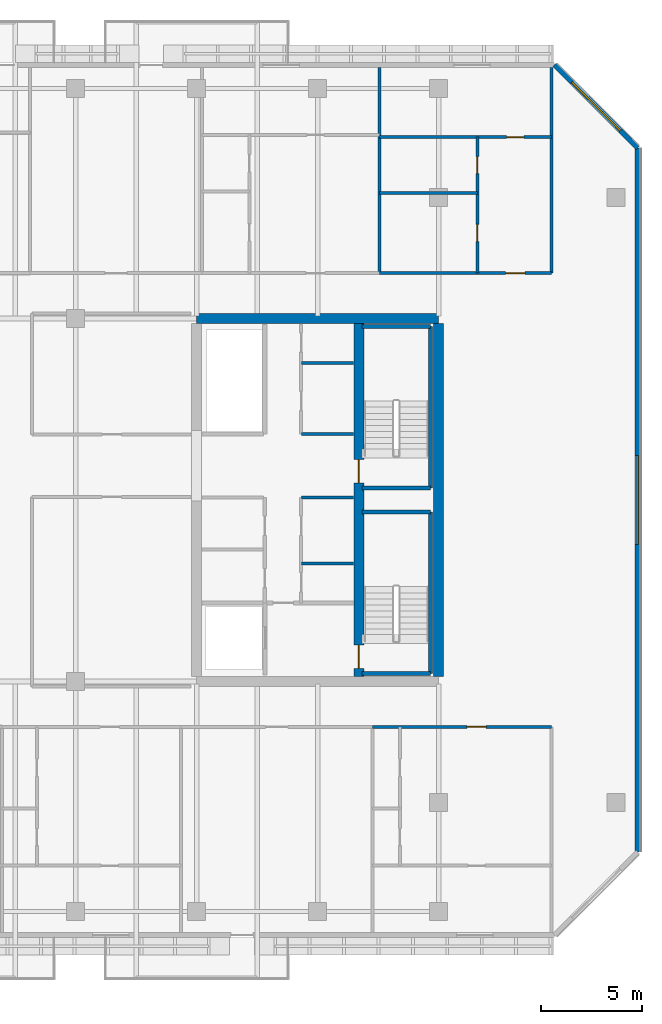
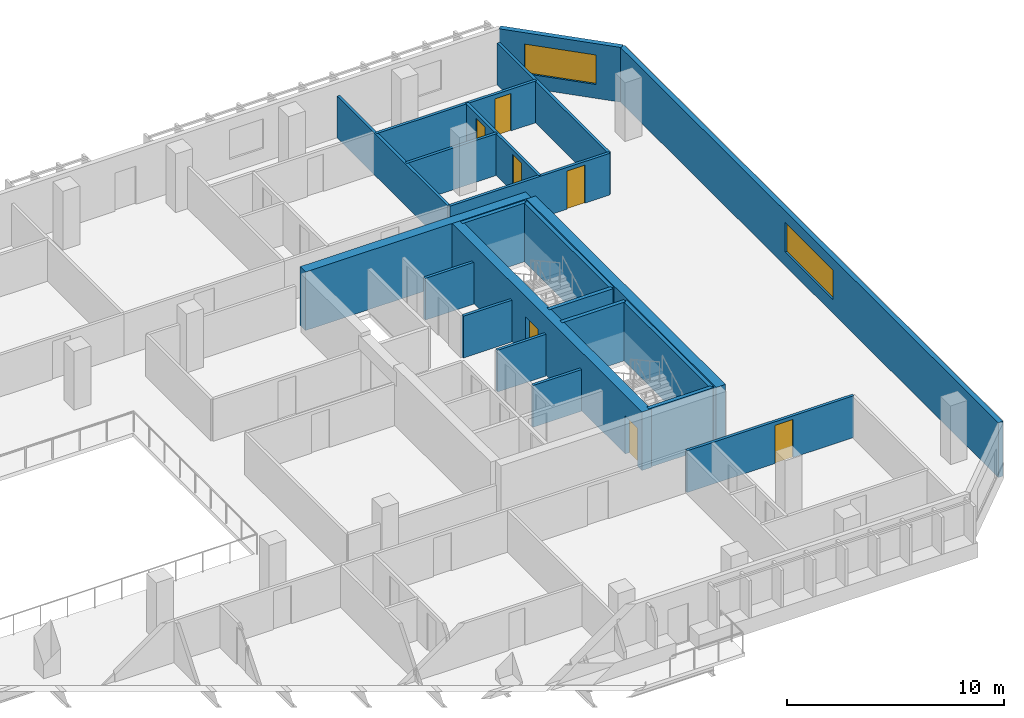
# One storey, part 14 of 20: 22 walls, 7 doors, 2 windows, 9 openings.
"""IFC4 building model written with IfcOpenShell, lengths in metres."""

from ifc_helpers import new_model, si_unit, direction, frame, frame_2d, origin, place, context, subcontext, project, spatial, rectangle, extrude, material, layer, layer_set, type_object, element, fill, save


model = new_model("IFC4")

# Units and contexts
model_context = context("Model", 3, precision=1e-05, world=origin(), true_north=direction((0.0, 1.0)))
body_context = subcontext(model_context, "Body", "Model", "MODEL_VIEW")
ifc_project = project(units=[si_unit("LENGTHUNIT", "METRE"), si_unit("AREAUNIT", "SQUARE_METRE"), si_unit("VOLUMEUNIT", "CUBIC_METRE"), si_unit("PLANEANGLEUNIT", "RADIAN"), si_unit("MASSUNIT", "GRAM", prefix="KILO")], contexts=[model_context])

# Site, building, storey
site_placement = place(None, origin())
site = spatial("IfcSite", under=ifc_project, at=site_placement, CompositionType="ELEMENT")
building_placement = place(site_placement, origin())
building = spatial("IfcBuilding", under=site, at=building_placement, Name="Tanjung Sevakor Pilgrim Tower", CompositionType="ELEMENT")
storey_placement = place(building_placement, frame((0.0, 0.0, 141.89990234375)))
storey = spatial("IfcBuildingStorey", under=building, at=storey_placement, Name="L39", CompositionType="ELEMENT", Elevation=141.89990234375)

# Walls
ifc_material_1 = material(Name="Concrete C60/75", Category="concrete")
ifc_layer_1 = layer(ifc_material_1, 0.5)
ifc_layer_set_1 = layer_set([ifc_layer_1], Name="WALL-CW-500")
wall_type_1 = type_object("IfcWallType", Name="WALL-CW-500", PredefinedType="SHEAR", material=ifc_layer_set_1)
wall_1_placement = place(storey_placement, frame((90.0, 42.60009765625, 0.0), z_axis=(0.0, 0.0, 1.0), x_axis=(-1.0, 0.0, 0.0)))
element("IfcWall", 1, at=wall_1_placement, inside=storey, type_object=wall_type_1, Name="L39 E Core North Shear Wall", PredefinedType="SHEAR", context=body_context, shape_type="SweptSolid", body=[
    extrude(rectangle(XDim=12.0, YDim=0.5, at=frame_2d((6.0, 0.0))), origin(), (0.0, 0.0, 1.0), 3.300048828125),
])
wall_2_placement = place(storey_placement, frame((90.0, 24.85009765625, 0.0), z_axis=(0.0, 0.0, 1.0), x_axis=(0.0, 1.0, 0.0)))
element("IfcWall", 2, at=wall_2_placement, inside=storey, type_object=wall_type_1, Name="L39 E Core Outer Shear Wall", PredefinedType="SHEAR", context=body_context, shape_type="SweptSolid", body=[
    extrude(rectangle(XDim=17.5, YDim=0.5, at=frame_2d((8.75, 0.0))), origin(), (0.0, 0.0, 1.0), 3.300048828125),
])

# Wall, openings, doors
wall_3_placement = place(storey_placement, frame((86.050048828125, 24.85009765625, 0.0), z_axis=(0.0, 0.0, 1.0), x_axis=(0.0, 1.0, 0.0)))
wall_3 = element("IfcWall", 3, at=wall_3_placement, inside=storey, type_object=wall_type_1, Name="L39 E Core Stair Spine Wall", PredefinedType="SHEAR", context=body_context, shape_type="SweptSolid", body=[
    extrude(rectangle(XDim=17.5, YDim=0.5, at=frame_2d((8.75, 0.0))), origin(), (0.0, 0.0, 1.0), 3.300048828125),
])
opening_1_placement = place(wall_3_placement, frame((0.39990234375, 0.0, 0.0)))
opening_1 = element("IfcOpeningElement", 4, at=opening_1_placement, cuts=wall_3, Name="Opening ID-ST1", PredefinedType="OPENING", context=body_context, shape_type="SweptSolid", body=[
    extrude(rectangle(XDim=1.14990234375, YDim=2.14990234375, at=frame_2d((0.574951171875, 1.074951171875))), frame((0.0, 0.260009765625, 0.0), z_axis=(0.0, -1.0, 0.0), x_axis=(1.0, 0.0, 0.0)), (0.0, 0.0, 1.0), 0.52001953125),
])
opening_2_placement = place(wall_3_placement, frame((9.60009765625, 0.0, 0.0)))
opening_2 = element("IfcOpeningElement", 5, at=opening_2_placement, cuts=wall_3, Name="Opening ID-ST1", PredefinedType="OPENING", context=body_context, shape_type="SweptSolid", body=[
    extrude(rectangle(XDim=1.14990234375, YDim=2.14990234375, at=frame_2d((0.574951171875, 1.074951171875))), frame((0.0, 0.260009765625, 0.0), z_axis=(0.0, -1.0, 0.0), x_axis=(1.0, 0.0, 0.0)), (0.0, 0.0, 1.0), 0.52001953125),
])
ifc_material_2 = material(Name="Fire-Rated Steel S355J2", Category="steel")
door_type_1 = type_object("IfcDoorType", Name="DT-FIRE-1150", OperationType="NOTDEFINED", PredefinedType="DOOR", material=ifc_material_2)
door_1_placement = place(opening_1_placement, origin())
door_1 = element("IfcDoor", 6, at=door_1_placement, inside=storey, type_object=door_type_1, Name="L39 TS-E1 Stair Fire Door", OperationType="SINGLE_SWING_LEFT", OverallHeight=2.14990234375, OverallWidth=1.14990234375, PredefinedType="DOOR", context=body_context, shape_type="SweptSolid", body=[
    extrude(rectangle(XDim=1.14990234375, YDim=2.14990234375, at=frame_2d((0.574951171875, 1.074951171875))), frame((0.0, 0.02490234375, 0.0), z_axis=(0.0, -1.0, 0.0), x_axis=(1.0, 0.0, 0.0)), (0.0, 0.0, 1.0), 0.050048828125),
])
fill(opening_1, door_1)
door_2_placement = place(opening_2_placement, origin())
door_2 = element("IfcDoor", 7, at=door_2_placement, inside=storey, type_object=door_type_1, Name="L39 TS-E2 Stair Fire Door", OperationType="SINGLE_SWING_RIGHT", OverallHeight=2.14990234375, OverallWidth=1.14990234375, PredefinedType="DOOR", context=body_context, shape_type="SweptSolid", body=[
    extrude(rectangle(XDim=1.14990234375, YDim=2.14990234375, at=frame_2d((0.574951171875, 1.074951171875))), frame((0.0, 0.02490234375, 0.0), z_axis=(0.0, -1.0, 0.0), x_axis=(1.0, 0.0, 0.0)), (0.0, 0.0, 1.0), 0.050048828125),
])
fill(opening_2, door_2)

# Walls
ifc_material_3 = material(Name="Concrete C40/50", Category="concrete")
ifc_layer_2 = layer(ifc_material_3, 0.14990234375)
ifc_layer_set_2 = layer_set([ifc_layer_2], Name="WT-COMP-150")
wall_type_2 = type_object("IfcWallType", Name="WT-COMP-150", PredefinedType="SOLIDWALL", material=ifc_layer_set_2)
for number, where, z_axis, x_axis, name in (
    (8, (83.199951171875, 30.449951171875, 0.0), (0.0, 0.0, 1.0), (1.0, 0.0, 0.0), "L39 Partition IW-L39-016"),
    (9, (83.199951171875, 33.719970703125, 0.0), (0.0, 0.0, 1.0), (1.0, 0.0, 0.0), "L39 Partition IW-L39-017"),
    (10, (83.199951171875, 36.8798828125, 0.0), (0.0, 0.0, 1.0), (1.0, 0.0, 0.0), "L39 Partition IW-L39-022"),
    (11, (83.199951171875, 40.389892578125, 0.0), (0.0, 0.0, 1.0), (1.0, 0.0, 0.0), "L39 Partition IW-L39-023"),
):
    element("IfcWall", number, at=place(storey_placement, frame(where, z_axis=z_axis, x_axis=x_axis)), inside=storey, type_object=wall_type_2, Name=name, PredefinedType="SOLIDWALL", context=body_context, shape_type="SweptSolid", body=[
        extrude(rectangle(XDim=2.580078125, YDim=0.14990234375, at=frame_2d((1.2900390625, 0.0))), origin(), (0.0, 0.0, 1.0), 2.35009765625),
    ])

# Wall, opening, door
wall_4_placement = place(storey_placement, frame((86.72021484375, 22.35009765625, 0.0), z_axis=(0.0, 0.0, 1.0), x_axis=(1.0, 0.0, 0.0)))
wall_4 = element("IfcWall", 12, at=wall_4_placement, inside=storey, type_object=wall_type_2, Name="L39 Partition IW-L39-074", PredefinedType="SOLIDWALL", context=body_context, shape_type="SweptSolid", body=[
    extrude(rectangle(XDim=8.8798828125, YDim=0.14990234375, at=frame_2d((4.43994140625, 0.0))), origin(), (0.0, 0.0, 1.0), 2.35009765625),
])
opening_3_placement = place(wall_4_placement, frame((4.684814453125, 0.0, 0.0)))
opening_3 = element("IfcOpeningElement", 13, at=opening_3_placement, cuts=wall_4, Name="Opening ID-FD2", PredefinedType="OPENING", context=body_context, shape_type="SweptSolid", body=[
    extrude(rectangle(XDim=0.949951171875, YDim=2.14990234375, at=frame_2d((0.47509765625, 1.074951171875))), frame((0.0, 0.0849609375, 0.0), z_axis=(0.0, -1.0, 0.0), x_axis=(1.0, 0.0, 0.0)), (0.0, 0.0, 1.0), 0.169921875),
])
ifc_material_4 = material(Name="Fire-Rated Timber", Category="wood")
door_type_2 = type_object("IfcDoorType", Name="DT-FIRE-950", OperationType="NOTDEFINED", PredefinedType="DOOR", material=ifc_material_4)
door_3_placement = place(opening_3_placement, origin())
door_3 = element("IfcDoor", 14, at=door_3_placement, inside=storey, type_object=door_type_2, Name="Residence Entrance", OperationType="SINGLE_SWING_LEFT", OverallHeight=2.14990234375, OverallWidth=0.949951171875, PredefinedType="DOOR", context=body_context, shape_type="SweptSolid", body=[
    extrude(rectangle(XDim=0.949951171875, YDim=2.14990234375, at=frame_2d((0.47509765625, 1.074951171875))), frame((0.0, 0.02490234375, 0.0), z_axis=(0.0, -1.0, 0.0), x_axis=(1.0, 0.0, 0.0)), (0.0, 0.0, 1.0), 0.050048828125),
])
fill(opening_3, door_3)

# Walls
for number, where, z_axis, x_axis, name in (
    (15, (95.60009765625, 44.85009765625, 0.0), (0.0, 0.0, 1.0), (0.0, 1.0, 0.0), "L39 Partition IW-L39-086"),
    (16, (87.080078125, 44.85009765625, 0.0), (0.0, 0.0, 1.0), (0.0, 1.0, 0.0), "L39 Partition IW-L39-099"),
):
    element("IfcWall", number, at=place(storey_placement, frame(where, z_axis=z_axis, x_axis=x_axis)), inside=storey, type_object=wall_type_2, Name=name, PredefinedType="SOLIDWALL", context=body_context, shape_type="SweptSolid", body=[
        extrude(rectangle(XDim=10.199951171875, YDim=0.14990234375, at=frame_2d((5.10009765625, 0.0))), origin(), (0.0, 0.0, 1.0), 2.35009765625),
    ])

# Wall, opening, door
wall_5_placement = place(storey_placement, frame((87.080078125, 44.85009765625, 0.0), z_axis=(0.0, 0.0, 1.0), x_axis=(1.0, 0.0, 0.0)))
wall_5 = element("IfcWall", 17, at=wall_5_placement, inside=storey, type_object=wall_type_2, Name="L39 Partition IW-L39-107", PredefinedType="SOLIDWALL", context=body_context, shape_type="SweptSolid", body=[
    extrude(rectangle(XDim=8.52001953125, YDim=0.14990234375, at=frame_2d((4.260009765625, 0.0))), origin(), (0.0, 0.0, 1.0), 2.35009765625),
])
opening_4_placement = place(wall_5_placement, frame((6.244873046875, 0.0, 0.0)))
opening_4 = element("IfcOpeningElement", 18, at=opening_4_placement, cuts=wall_5, Name="Opening ID-FD2", PredefinedType="OPENING", context=body_context, shape_type="SweptSolid", body=[
    extrude(rectangle(XDim=0.949951171875, YDim=2.14990234375, at=frame_2d((0.47509765625, 1.074951171875))), frame((0.0, 0.0849609375, 0.0), z_axis=(0.0, -1.0, 0.0), x_axis=(1.0, 0.0, 0.0)), (0.0, 0.0, 1.0), 0.169921875),
])
door_4_placement = place(opening_4_placement, origin())
door_4 = element("IfcDoor", 19, at=door_4_placement, inside=storey, type_object=door_type_2, Name="Residence Entrance", OperationType="SINGLE_SWING_RIGHT", OverallHeight=2.14990234375, OverallWidth=0.949951171875, PredefinedType="DOOR", context=body_context, shape_type="SweptSolid", body=[
    extrude(rectangle(XDim=0.949951171875, YDim=2.14990234375, at=frame_2d((0.47509765625, 1.074951171875))), frame((0.0, 0.02490234375, 0.0), z_axis=(0.0, -1.0, 0.0), x_axis=(1.0, 0.0, 0.0)), (0.0, 0.0, 1.0), 0.050048828125),
])
fill(opening_4, door_4)

# Wall, opening, window
ifc_material_5 = material(Name="Precast concrete C45/55", Category="concrete")
ifc_layer_3 = layer(ifc_material_5, 0.25)
ifc_layer_set_3 = layer_set([ifc_layer_3], Name="WT-EW-STN3")
wall_type_3 = type_object("IfcWallType", Name="WT-EW-STN3", PredefinedType="SOLIDWALL", material=ifc_layer_set_3)
wall_6_placement = place(storey_placement, frame((99.875, 16.15185546875, 0.0), z_axis=(0.0, 0.0, 1.0), x_axis=(0.0, 1.0, 0.0)))
wall_6 = element("IfcWall", 20, at=wall_6_placement, inside=storey, type_object=wall_type_3, Name="L39 MAIN Exterior Wall 7", PredefinedType="SOLIDWALL", context=body_context, shape_type="SweptSolid", body=[
    extrude(rectangle(XDim=34.896240234375, YDim=0.25, at=frame_2d((17.4482421875, 0.0))), origin(), (0.0, 0.0, 1.0), 3.080078125),
])
opening_5_placement = place(wall_6_placement, frame((15.248291015625, 0.0, 0.780029296875)))
opening_5 = element("IfcOpeningElement", 21, at=opening_5_placement, cuts=wall_6, Name="Opening WN-ENDW-1660", PredefinedType="OPENING", context=body_context, shape_type="SweptSolid", body=[
    extrude(rectangle(XDim=4.39990234375, YDim=1.659912109375, at=frame_2d((2.199951171875, 0.830078125))), frame((0.0, 0.135009765625, 0.0), z_axis=(0.0, -1.0, 0.0), x_axis=(1.0, 0.0, 0.0)), (0.0, 0.0, 1.0), 0.27001953125),
])
ifc_material_6 = material(Name="Thermally Broken Aluminium and Low-E Glass", Category="aluminium")
window_type_1 = type_object("IfcWindowType", Name="WTYP-WN-ENDW-1660", PartitioningType="DOUBLE_PANEL_VERTICAL", PredefinedType="WINDOW", material=ifc_material_6)
window_1_placement = place(opening_5_placement, origin())
window_1 = element("IfcWindow", 22, at=window_1_placement, inside=storey, type_object=window_type_1, Name="L39 Facade Window 01", OverallHeight=1.659912109375, OverallWidth=4.39990234375, PartitioningType="SINGLE_PANEL", PredefinedType="WINDOW", context=body_context, shape_type="SweptSolid", body=[
    extrude(rectangle(XDim=4.39990234375, YDim=1.659912109375, at=frame_2d((2.199951171875, 0.830078125))), frame((0.0, 0.030029296875, 0.0), z_axis=(0.0, -1.0, 0.0), x_axis=(1.0, 0.0, 0.0)), (0.0, 0.0, 1.0), 0.06005859375),
])
fill(opening_5, window_1)

wall_7_placement = place(storey_placement, frame((99.875, 51.048095703125, 0.0), z_axis=(0.0, 0.0, 1.0), x_axis=(-0.70708586489, 0.707127696864, 0.0)))
wall_7 = element("IfcWall", 23, at=wall_7_placement, inside=storey, type_object=wall_type_3, Name="L39 MAIN Sculpted Corner Wall 7", PredefinedType="SOLIDWALL", context=body_context, shape_type="SweptSolid", body=[
    extrude(rectangle(XDim=5.836181640625, YDim=0.25, at=frame_2d((2.91796875, 0.0))), origin(), (0.0, 0.0, 1.0), 3.080078125),
])
opening_6_placement = place(wall_7_placement, frame((1.218017578125, 0.0, 0.780029296875)))
opening_6 = element("IfcOpeningElement", 24, at=opening_6_placement, cuts=wall_7, Name="Opening WN-CHM-1660", PredefinedType="OPENING", context=body_context, shape_type="SweptSolid", body=[
    extrude(rectangle(XDim=3.39990234375, YDim=1.659912109375, at=frame_2d((1.699951171875, 0.830078125))), frame((0.0, 0.135009765625, 0.0), z_axis=(0.0, -1.0, 0.0), x_axis=(1.0, 0.0, 0.0)), (0.0, 0.0, 1.0), 0.27001953125),
])
ifc_material_7 = material(Name="Thermally Broken Aluminium and Low-E Glass", Category="aluminium")
window_type_2 = type_object("IfcWindowType", Name="WTYP-WN-CHM-1660", PartitioningType="DOUBLE_PANEL_VERTICAL", PredefinedType="WINDOW", material=ifc_material_7)
window_2_placement = place(opening_6_placement, origin())
window_2 = element("IfcWindow", 25, at=window_2_placement, inside=storey, type_object=window_type_2, Name="L39 Facade Window 01", OverallHeight=1.659912109375, OverallWidth=3.39990234375, PartitioningType="SINGLE_PANEL", PredefinedType="WINDOW", context=body_context, shape_type="SweptSolid", body=[
    extrude(rectangle(XDim=3.39990234375, YDim=1.659912109375, at=frame_2d((1.699951171875, 0.830078125))), frame((0.0, 0.030029296875, 0.0), z_axis=(0.0, -1.0, 0.0), x_axis=(1.0, 0.0, 0.0)), (0.0, 0.0, 1.0), 0.06005859375),
])
fill(opening_6, window_2)

# Walls
ifc_material_8 = material(Name="Concrete C40/50", Category="concrete")
ifc_layer_4 = layer(ifc_material_8, 0.199951171875)
ifc_layer_set_4 = layer_set([ifc_layer_4], Name="WT-FIRE-200")
wall_type_4 = type_object("IfcWallType", Name="WT-FIRE-200", PredefinedType="SOLIDWALL", material=ifc_layer_set_4)
wall_8_placement = place(storey_placement, frame((86.199951171875, 25.0, 0.0), z_axis=(0.0, 0.0, 1.0), x_axis=(1.0, 0.0, 0.0)))
element("IfcWall", 26, at=wall_8_placement, inside=storey, type_object=wall_type_4, Name="L39 TS-E1 Shaft Wall 1", PredefinedType="SOLIDWALL", context=body_context, shape_type="SweptSolid", body=[
    extrude(rectangle(XDim=3.400146484375, YDim=0.199951171875, at=frame_2d((1.7001953125, 0.0))), origin(), (0.0, 0.0, 1.0), 3.300048828125),
])
wall_9_placement = place(storey_placement, frame((89.60009765625, 25.0, 0.0), z_axis=(0.0, 0.0, 1.0), x_axis=(0.0, 1.0, 0.0)))
element("IfcWall", 27, at=wall_9_placement, inside=storey, type_object=wall_type_4, Name="L39 TS-E1 Shaft Wall 2", PredefinedType="SOLIDWALL", context=body_context, shape_type="SweptSolid", body=[
    extrude(rectangle(XDim=8.0, YDim=0.199951171875, at=frame_2d((4.0, 0.0))), origin(), (0.0, 0.0, 1.0), 3.300048828125),
])
for number, where, z_axis, x_axis, name in (
    (28, (89.60009765625, 33.0, 0.0), (0.0, 0.0, 1.0), (-1.0, 0.0, 0.0), "L39 TS-E1 Shaft Wall 3"),
    (29, (86.199951171875, 34.199951171875, 0.0), (0.0, 0.0, 1.0), (1.0, 0.0, 0.0), "L39 TS-E2 Shaft Wall 1"),
):
    element("IfcWall", number, at=place(storey_placement, frame(where, z_axis=z_axis, x_axis=x_axis)), inside=storey, type_object=wall_type_4, Name=name, PredefinedType="SOLIDWALL", context=body_context, shape_type="SweptSolid", body=[
        extrude(rectangle(XDim=3.400146484375, YDim=0.199951171875, at=frame_2d((1.7001953125, 0.0))), origin(), (0.0, 0.0, 1.0), 3.300048828125),
    ])
wall_10_placement = place(storey_placement, frame((89.60009765625, 34.199951171875, 0.0), z_axis=(0.0, 0.0, 1.0), x_axis=(0.0, 1.0, 0.0)))
element("IfcWall", 30, at=wall_10_placement, inside=storey, type_object=wall_type_4, Name="L39 TS-E2 Shaft Wall 2", PredefinedType="SOLIDWALL", context=body_context, shape_type="SweptSolid", body=[
    extrude(rectangle(XDim=8.0, YDim=0.199951171875, at=frame_2d((4.0, 0.0))), origin(), (0.0, 0.0, 1.0), 3.300048828125),
])
wall_11_placement = place(storey_placement, frame((89.60009765625, 42.199951171875, 0.0), z_axis=(0.0, 0.0, 1.0), x_axis=(-1.0, 0.0, 0.0)))
element("IfcWall", 31, at=wall_11_placement, inside=storey, type_object=wall_type_4, Name="L39 TS-E2 Shaft Wall 3", PredefinedType="SOLIDWALL", context=body_context, shape_type="SweptSolid", body=[
    extrude(rectangle(XDim=3.400146484375, YDim=0.199951171875, at=frame_2d((1.7001953125, 0.0))), origin(), (0.0, 0.0, 1.0), 3.300048828125),
])
ifc_material_9 = material(Name="Gypsum Board Partition", Category="gypsum board")
ifc_layer_5 = layer(ifc_material_9, 0.14990234375)
ifc_layer_set_5 = layer_set([ifc_layer_5], Name="WT-PART-150")
wall_type_5 = type_object("IfcWallType", Name="WT-PART-150", PredefinedType="PARTITIONING", material=ifc_layer_set_5)
wall_12_placement = place(storey_placement, frame((87.080078125, 48.8251953125, 0.0), z_axis=(0.0, 0.0, 1.0), x_axis=(1.0, 0.0, 0.0)))
element("IfcWall", 32, at=wall_12_placement, inside=storey, type_object=wall_type_5, Name="L39 Partition IW-L39-104", PredefinedType="PARTITIONING", context=body_context, shape_type="SweptSolid", body=[
    extrude(rectangle(XDim=4.83984375, YDim=0.14990234375, at=frame_2d((2.419921875, 0.0))), origin(), (0.0, 0.0, 1.0), 2.35009765625),
])

# Wall, openings, doors
wall_13_placement = place(storey_placement, frame((91.919921875, 44.85009765625, 0.0), z_axis=(0.0, 0.0, 1.0), x_axis=(0.0, 1.0, 0.0)))
wall_13 = element("IfcWall", 33, at=wall_13_placement, inside=storey, type_object=wall_type_5, Name="L39 Partition IW-L39-105", PredefinedType="PARTITIONING", context=body_context, shape_type="SweptSolid", body=[
    extrude(rectangle(XDim=6.7373046875, YDim=0.14990234375, at=frame_2d((3.36865234375, 0.0))), origin(), (0.0, 0.0, 1.0), 2.35009765625),
])
opening_7_placement = place(wall_13_placement, frame((1.5625, 0.0, 0.0)))
opening_7 = element("IfcOpeningElement", 34, at=opening_7_placement, cuts=wall_13, Name="Opening ID-WC1", PredefinedType="OPENING", context=body_context, shape_type="SweptSolid", body=[
    extrude(rectangle(XDim=0.85009765625, YDim=2.10009765625, at=frame_2d((0.425048828125, 1.050048828125))), frame((0.0, 0.0849609375, 0.0), z_axis=(0.0, -1.0, 0.0), x_axis=(1.0, 0.0, 0.0)), (0.0, 0.0, 1.0), 0.169921875),
])
opening_8_placement = place(wall_13_placement, frame((4.931396484375, 0.0, 0.0)))
opening_8 = element("IfcOpeningElement", 35, at=opening_8_placement, cuts=wall_13, Name="Opening ID-WC1", PredefinedType="OPENING", context=body_context, shape_type="SweptSolid", body=[
    extrude(rectangle(XDim=0.85009765625, YDim=2.10009765625, at=frame_2d((0.425048828125, 1.050048828125))), frame((0.0, 0.0849609375, 0.0), z_axis=(0.0, -1.0, 0.0), x_axis=(1.0, 0.0, 0.0)), (0.0, 0.0, 1.0), 0.169921875),
])
ifc_material_10 = material(Name="Moisture-Resistant Timber", Category="wood")
door_type_3 = type_object("IfcDoorType", Name="DT-INT-850", OperationType="NOTDEFINED", PredefinedType="DOOR", material=ifc_material_10)
door_5_placement = place(opening_7_placement, origin())
door_5 = element("IfcDoor", 36, at=door_5_placement, inside=storey, type_object=door_type_3, Name="Residence Kitchenette Door", OperationType="SINGLE_SWING_LEFT", OverallHeight=2.10009765625, OverallWidth=0.85009765625, PredefinedType="DOOR", context=body_context, shape_type="SweptSolid", body=[
    extrude(rectangle(XDim=0.85009765625, YDim=2.10009765625, at=frame_2d((0.425048828125, 1.050048828125))), frame((0.0, 0.02490234375, 0.0), z_axis=(0.0, -1.0, 0.0), x_axis=(1.0, 0.0, 0.0)), (0.0, 0.0, 1.0), 0.050048828125),
])
fill(opening_7, door_5)
door_6_placement = place(opening_8_placement, origin())
door_6 = element("IfcDoor", 37, at=door_6_placement, inside=storey, type_object=door_type_3, Name="Residence Bathroom Door", OperationType="SINGLE_SWING_RIGHT", OverallHeight=2.10009765625, OverallWidth=0.85009765625, PredefinedType="DOOR", context=body_context, shape_type="SweptSolid", body=[
    extrude(rectangle(XDim=0.85009765625, YDim=2.10009765625, at=frame_2d((0.425048828125, 1.050048828125))), frame((0.0, 0.02490234375, 0.0), z_axis=(0.0, -1.0, 0.0), x_axis=(1.0, 0.0, 0.0)), (0.0, 0.0, 1.0), 0.050048828125),
])
fill(opening_8, door_6)

# Wall, opening, door
wall_14_placement = place(storey_placement, frame((87.080078125, 51.58740234375, 0.0), z_axis=(0.0, 0.0, 1.0), x_axis=(1.0, 0.0, 0.0)))
wall_14 = element("IfcWall", 38, at=wall_14_placement, inside=storey, type_object=wall_type_5, Name="L39 Partition IW-L39-106", PredefinedType="PARTITIONING", context=body_context, shape_type="SweptSolid", body=[
    extrude(rectangle(XDim=8.52001953125, YDim=0.14990234375, at=frame_2d((4.260009765625, 0.0))), origin(), (0.0, 0.0, 1.0), 2.35009765625),
])
opening_9_placement = place(wall_14_placement, frame((6.294921875, 0.0, 0.0)))
opening_9 = element("IfcOpeningElement", 39, at=opening_9_placement, cuts=wall_14, Name="Opening ID-WC1", PredefinedType="OPENING", context=body_context, shape_type="SweptSolid", body=[
    extrude(rectangle(XDim=0.85009765625, YDim=2.10009765625, at=frame_2d((0.425048828125, 1.050048828125))), frame((0.0, 0.0849609375, 0.0), z_axis=(0.0, -1.0, 0.0), x_axis=(1.0, 0.0, 0.0)), (0.0, 0.0, 1.0), 0.169921875),
])
door_7_placement = place(opening_9_placement, origin())
door_7 = element("IfcDoor", 40, at=door_7_placement, inside=storey, type_object=door_type_3, Name="Residence Bedroom Door", OperationType="SINGLE_SWING_LEFT", OverallHeight=2.10009765625, OverallWidth=0.85009765625, PredefinedType="DOOR", context=body_context, shape_type="SweptSolid", body=[
    extrude(rectangle(XDim=0.85009765625, YDim=2.10009765625, at=frame_2d((0.425048828125, 1.050048828125))), frame((0.0, 0.02490234375, 0.0), z_axis=(0.0, -1.0, 0.0), x_axis=(1.0, 0.0, 0.0)), (0.0, 0.0, 1.0), 0.050048828125),
])
fill(opening_9, door_7)

save(model, "model.ifc")
